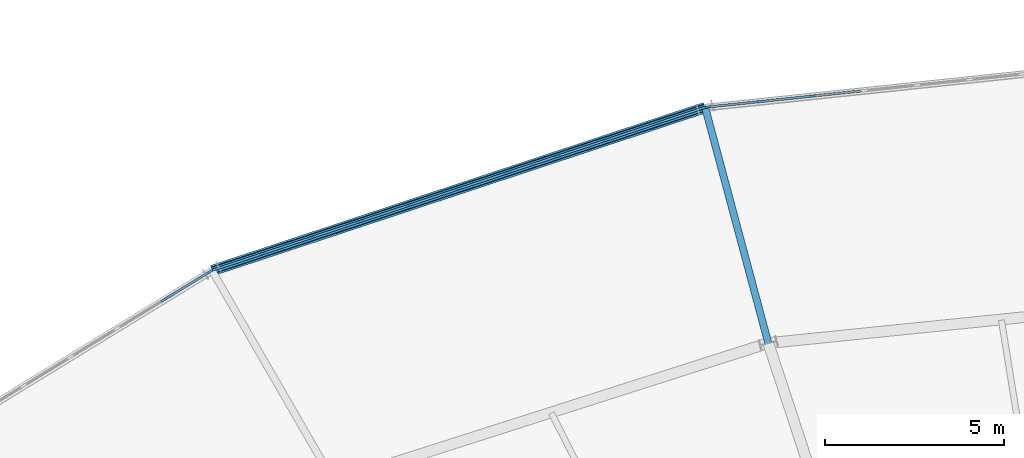
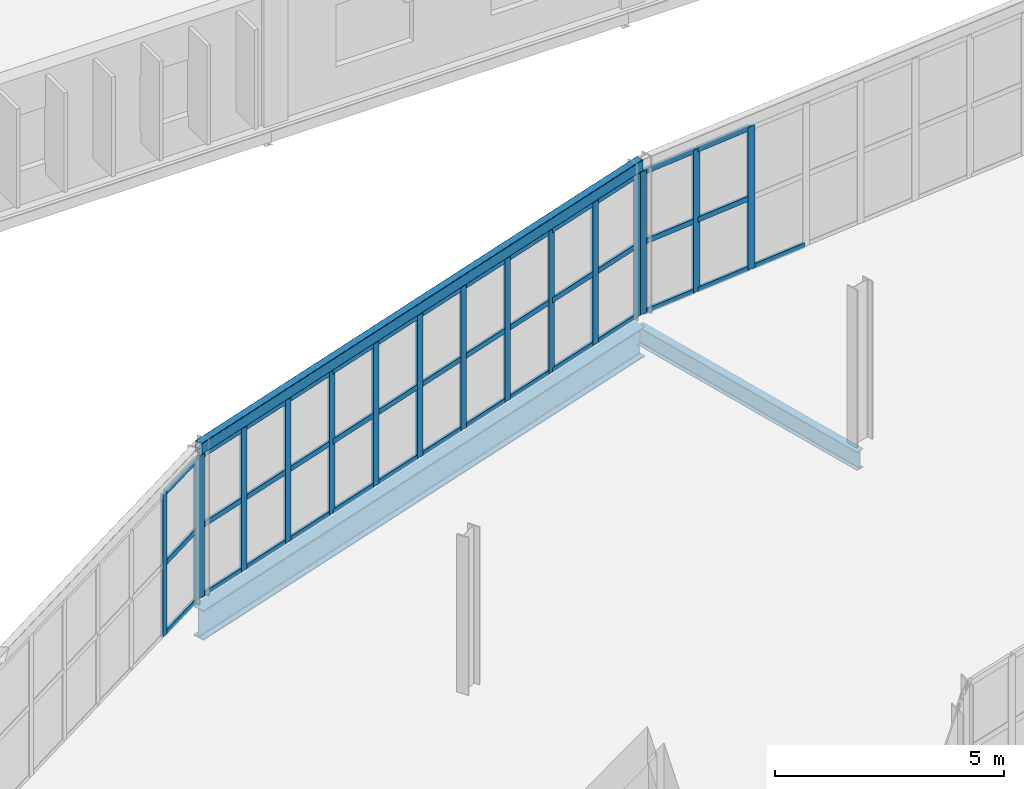
# One storey, part 95 of 161: 56 members, 3 beams, 3 elements without a shape of their own.
"""IFC4 building model written with IfcOpenShell, lengths in metres."""

from ifc_helpers import new_model, si_unit, direction, frame, origin, origin_2d, place, context, subcontext, project, spatial, rectangle, hollow_rectangle, i_section, extrude, material, material_profile, profile_set, type_object, element, aggregate, save


model = new_model("IFC4")

# Units and contexts
model_context = context("Model", 3, precision=1e-05, world=origin(), true_north=direction((0.0, 1.0)))
body_context = subcontext(model_context, "Body", "Model", "MODEL_VIEW")
ifc_project = project(units=[si_unit("LENGTHUNIT", "METRE"), si_unit("AREAUNIT", "SQUARE_METRE"), si_unit("VOLUMEUNIT", "CUBIC_METRE"), si_unit("PLANEANGLEUNIT", "RADIAN"), si_unit("MASSUNIT", "GRAM", prefix="KILO")], contexts=[model_context])

# Site, building, storey
site_placement = place(None, origin())
site = spatial("IfcSite", under=ifc_project, at=site_placement, CompositionType="ELEMENT")
building_placement = place(site_placement, origin())
building = spatial("IfcBuilding", under=site, at=building_placement, Name="Kildeholm Park Wholesale Market", CompositionType="ELEMENT")
storey_placement = place(building_placement, frame((0.0, 0.0, 5.39990234375)))
storey = spatial("IfcBuildingStorey", under=building, at=storey_placement, Name="L01", CompositionType="ELEMENT", Elevation=5.39990234375)

# Beams
ifc_material_1 = material(Name="Steel S355", Category="steel")
ifc_material_profile_1 = material_profile(ifc_material_1, i_section(OverallWidth=0.300048828125, OverallDepth=0.800048828125, WebThickness=0.017578125, FlangeThickness=0.032958984375, FilletRadius=0.030029296875, at=origin_2d()), Name="HEB 800")
ifc_profile_set_1 = profile_set([ifc_material_profile_1], Name="Steel S355")
beam_type_1 = type_object("IfcBeamType", Name="Beam B-G02 HEB 800", PredefinedType="BEAM", material=ifc_profile_set_1)
beam_1_placement = place(storey_placement, frame((84.2470703125, 133.449951171875, -0.64990234375), z_axis=(-0.949435985478, -0.313960681424, 0.0), x_axis=(0.313960681424, -0.949435985478, 0.0)))
element("IfcBeam", 1, at=beam_1_placement, inside=storey, type_object=beam_type_1, Name="Beam BM-V1-L01-CO-07 BM-0071", PredefinedType="BEAM", context=body_context, shape_type="SweptSolid", body=[
    extrude(i_section(OverallWidth=0.300048828125, OverallDepth=0.800048828125, WebThickness=0.017578125, FlangeThickness=0.032958984375, FilletRadius=0.030029296875, at=origin_2d()), origin(), (0.0, 0.0, 1.0), 14.479248046875),
])
ifc_material_profile_2 = material_profile(ifc_material_1, i_section(OverallWidth=0.199951171875, OverallDepth=0.5, WebThickness=0.01025390625, FlangeThickness=0.01611328125, FilletRadius=0.02099609375, at=origin_2d()), Name="IPE 500")
ifc_profile_set_2 = profile_set([ifc_material_profile_2], Name="Steel S355")
beam_type_2 = type_object("IfcBeamType", Name="Beam B-P03 IPE 500", PredefinedType="BEAM", material=ifc_profile_set_2)
beam_2_placement = place(storey_placement, frame((86.007080078125, 126.881103515625, -0.5), z_axis=(-0.258804274594, 0.965929783914, 0.0), x_axis=(-0.965929783914, -0.258804274594, 0.0)))
element("IfcBeam", 2, at=beam_2_placement, inside=storey, type_object=beam_type_2, Name="Beam BM-V1-L01-R2-07 BM-0068", PredefinedType="BEAM", context=body_context, shape_type="SweptSolid", body=[
    extrude(i_section(OverallWidth=0.199951171875, OverallDepth=0.5, WebThickness=0.01025390625, FlangeThickness=0.01611328125, FilletRadius=0.02099609375, at=origin_2d()), origin(), (0.0, 0.0, 1.0), 6.800537109375),
])
ifc_material_profile_3 = material_profile(ifc_material_1, hollow_rectangle(XDim=0.199951171875, YDim=0.300048828125, WallThickness=0.012451171875, InnerFilletRadius=0.012451171875, OuterFilletRadius=0.02490234375, at=origin_2d()), Name="RHS 300x200x12.5")
ifc_profile_set_3 = profile_set([ifc_material_profile_3], Name="Steel S355")
beam_type_3 = type_object("IfcBeamType", Name="Beam SP-01 RHS 300x200x12.5", PredefinedType="SPANDREL", material=ifc_profile_set_3)
beam_3_placement = place(storey_placement, frame((84.2470703125, 133.449951171875, 4.022705078125), z_axis=(-0.949435985478, -0.313960681424, 0.0), x_axis=(0.313960681424, -0.949435985478, 0.0)))
element("IfcBeam", 3, at=beam_3_placement, inside=storey, type_object=beam_type_3, Name="Beam SP-V1-EAV-07 BM-0262", PredefinedType="SPANDREL", context=body_context, shape_type="SweptSolid", body=[
    extrude(hollow_rectangle(XDim=0.199951171875, YDim=0.300048828125, WallThickness=0.012451171875, InnerFilletRadius=0.012451171875, OuterFilletRadius=0.02490234375, at=origin_2d()), origin(), (0.0, 0.0, 1.0), 14.479248046875),
])

# Curtain wall, members
ifc_material_2 = material(Name="Anodised aluminium and low-E double-glazed glass", Category="aluminium")
curtain_wall_type = type_object("IfcCurtainWallType", Name="Market hall glazed arcade stick curtain wall CW-01", PredefinedType="NOTDEFINED", material=ifc_material_2)
curtain_wall_1_placement = place(storey_placement, origin())
curtain_wall_1 = element("IfcCurtainWall", 4, at=curtain_wall_1_placement, inside=storey, type_object=curtain_wall_type, Name="Curtain wall CW-V1-OT-06-1 CW-0030", PredefinedType="NOTDEFINED")
ifc_material_3 = material(Name="Anodised aluminium", Category="aluminium")
ifc_material_profile_4 = material_profile(ifc_material_3, rectangle(XDim=0.06494140625, YDim=0.179931640625, at=origin_2d()), Name="CWM 65x180")
ifc_profile_set_4 = profile_set([ifc_material_profile_4], Name="Anodised aluminium")
member_type_1 = type_object("IfcMemberType", Name="Curtain-wall mullion CWM-1 CWM 65x180", PredefinedType="MULLION", material=ifc_profile_set_4)
member_1_placement = place(storey_placement, frame((87.220703125, 133.766357421875, 0.0), z_axis=(0.0, 0.0, 1.0), x_axis=(0.104508383308, -0.994524005652, 0.0)))
member_1 = element("IfcMember", 5, at=member_1_placement, type_object=member_type_1, Name="CW-01 mullion 9 MEM-1203", PredefinedType="MULLION", context=body_context, shape_type="SweptSolid", body=[
    extrude(rectangle(XDim=0.06494140625, YDim=0.179931640625, at=origin_2d()), origin(), (0.0, 0.0, 1.0), 3.800048828125),
])
member_2_placement = place(storey_placement, frame((85.75341796875, 133.6123046875, 0.0), z_axis=(0.0, 0.0, 1.0), x_axis=(0.104508383308, -0.994524005652, 0.0)))
member_2 = element("IfcMember", 6, at=member_2_placement, type_object=member_type_1, Name="CW-01 mullion 10 MEM-1204", PredefinedType="MULLION", context=body_context, shape_type="SweptSolid", body=[
    extrude(rectangle(XDim=0.06494140625, YDim=0.179931640625, at=origin_2d()), origin(), (0.0, 0.0, 1.0), 3.800048828125),
])
member_3_placement = place(storey_placement, frame((84.318359375, 133.46142578125, 0.0), z_axis=(0.0, 0.0, 1.0), x_axis=(0.104508383308, -0.994524005652, 0.0)))
member_3 = element("IfcMember", 7, at=member_3_placement, type_object=member_type_1, Name="CW-01 mullion 11 MEM-1205", PredefinedType="MULLION", context=body_context, shape_type="SweptSolid", body=[
    extrude(rectangle(XDim=0.06494140625, YDim=0.179931640625, at=origin_2d()), origin(), (0.0, 0.0, 1.0), 3.800048828125),
])

curtain_wall_2_placement = place(storey_placement, origin())
curtain_wall_2 = element("IfcCurtainWall", 8, at=curtain_wall_2_placement, inside=storey, type_object=curtain_wall_type, Name="Curtain wall CW-V1-OT-07-1 CW-0035", PredefinedType="NOTDEFINED")
member_4_placement = place(storey_placement, frame((84.176025390625, 133.430908203125, 0.0), z_axis=(0.0, 0.0, 1.0), x_axis=(0.313914140335, -0.949451374478, 0.0)))
member_4 = element("IfcMember", 9, at=member_4_placement, type_object=member_type_1, Name="CW-01 mullion 1 MEM-1348", PredefinedType="MULLION", context=body_context, shape_type="SweptSolid", body=[
    extrude(rectangle(XDim=0.06494140625, YDim=0.179931640625, at=origin_2d()), origin(), (0.0, 0.0, 1.0), 3.800048828125),
])
member_5_placement = place(storey_placement, frame((82.83984375, 132.989013671875, 0.0), z_axis=(0.0, 0.0, 1.0), x_axis=(0.313914140335, -0.949451374478, 0.0)))
member_5 = element("IfcMember", 10, at=member_5_placement, type_object=member_type_1, Name="CW-01 mullion 2 MEM-1349", PredefinedType="MULLION", context=body_context, shape_type="SweptSolid", body=[
    extrude(rectangle(XDim=0.06494140625, YDim=0.179931640625, at=origin_2d()), origin(), (0.0, 0.0, 1.0), 3.800048828125),
])
member_6_placement = place(storey_placement, frame((81.472900390625, 132.537109375, 0.0), z_axis=(0.0, 0.0, 1.0), x_axis=(0.313914140335, -0.949451374478, 0.0)))
member_6 = element("IfcMember", 11, at=member_6_placement, type_object=member_type_1, Name="CW-01 mullion 3 MEM-1350", PredefinedType="MULLION", context=body_context, shape_type="SweptSolid", body=[
    extrude(rectangle(XDim=0.06494140625, YDim=0.179931640625, at=origin_2d()), origin(), (0.0, 0.0, 1.0), 3.800048828125),
])
member_7_placement = place(storey_placement, frame((80.105712890625, 132.0849609375, 0.0), z_axis=(0.0, 0.0, 1.0), x_axis=(0.313914140335, -0.949451374478, 0.0)))
member_7 = element("IfcMember", 12, at=member_7_placement, type_object=member_type_1, Name="CW-01 mullion 4 MEM-1351", PredefinedType="MULLION", context=body_context, shape_type="SweptSolid", body=[
    extrude(rectangle(XDim=0.06494140625, YDim=0.179931640625, at=origin_2d()), origin(), (0.0, 0.0, 1.0), 3.800048828125),
])
member_8_placement = place(storey_placement, frame((78.738525390625, 131.633056640625, 0.0), z_axis=(0.0, 0.0, 1.0), x_axis=(0.313914140335, -0.949451374478, 0.0)))
member_8 = element("IfcMember", 13, at=member_8_placement, type_object=member_type_1, Name="CW-01 mullion 5 MEM-1352", PredefinedType="MULLION", context=body_context, shape_type="SweptSolid", body=[
    extrude(rectangle(XDim=0.06494140625, YDim=0.179931640625, at=origin_2d()), origin(), (0.0, 0.0, 1.0), 3.800048828125),
])
member_9_placement = place(storey_placement, frame((77.37158203125, 131.180908203125, 0.0), z_axis=(0.0, 0.0, 1.0), x_axis=(0.313914140335, -0.949451374478, 0.0)))
member_9 = element("IfcMember", 14, at=member_9_placement, type_object=member_type_1, Name="CW-01 mullion 6 MEM-1353", PredefinedType="MULLION", context=body_context, shape_type="SweptSolid", body=[
    extrude(rectangle(XDim=0.06494140625, YDim=0.179931640625, at=origin_2d()), origin(), (0.0, 0.0, 1.0), 3.800048828125),
])
member_10_placement = place(storey_placement, frame((76.00439453125, 130.72900390625, 0.0), z_axis=(0.0, 0.0, 1.0), x_axis=(0.313914140335, -0.949451374478, 0.0)))
member_10 = element("IfcMember", 15, at=member_10_placement, type_object=member_type_1, Name="CW-01 mullion 7 MEM-1354", PredefinedType="MULLION", context=body_context, shape_type="SweptSolid", body=[
    extrude(rectangle(XDim=0.06494140625, YDim=0.179931640625, at=origin_2d()), origin(), (0.0, 0.0, 1.0), 3.800048828125),
])
member_11_placement = place(storey_placement, frame((74.63720703125, 130.277099609375, 0.0), z_axis=(0.0, 0.0, 1.0), x_axis=(0.313914140335, -0.949451374478, 0.0)))
member_11 = element("IfcMember", 16, at=member_11_placement, type_object=member_type_1, Name="CW-01 mullion 8 MEM-1355", PredefinedType="MULLION", context=body_context, shape_type="SweptSolid", body=[
    extrude(rectangle(XDim=0.06494140625, YDim=0.179931640625, at=origin_2d()), origin(), (0.0, 0.0, 1.0), 3.800048828125),
])
member_12_placement = place(storey_placement, frame((73.270263671875, 129.824951171875, 0.0), z_axis=(0.0, 0.0, 1.0), x_axis=(0.313914140335, -0.949451374478, 0.0)))
member_12 = element("IfcMember", 17, at=member_12_placement, type_object=member_type_1, Name="CW-01 mullion 9 MEM-1356", PredefinedType="MULLION", context=body_context, shape_type="SweptSolid", body=[
    extrude(rectangle(XDim=0.06494140625, YDim=0.179931640625, at=origin_2d()), origin(), (0.0, 0.0, 1.0), 3.800048828125),
])
member_13_placement = place(storey_placement, frame((71.903076171875, 129.373046875, 0.0), z_axis=(0.0, 0.0, 1.0), x_axis=(0.313914140335, -0.949451374478, 0.0)))
member_13 = element("IfcMember", 18, at=member_13_placement, type_object=member_type_1, Name="CW-01 mullion 10 MEM-1357", PredefinedType="MULLION", context=body_context, shape_type="SweptSolid", body=[
    extrude(rectangle(XDim=0.06494140625, YDim=0.179931640625, at=origin_2d()), origin(), (0.0, 0.0, 1.0), 3.800048828125),
])
member_14_placement = place(storey_placement, frame((70.56689453125, 128.93115234375, 0.0), z_axis=(0.0, 0.0, 1.0), x_axis=(0.313914140335, -0.949451374478, 0.0)))
member_14 = element("IfcMember", 19, at=member_14_placement, type_object=member_type_1, Name="CW-01 mullion 11 MEM-1358", PredefinedType="MULLION", context=body_context, shape_type="SweptSolid", body=[
    extrude(rectangle(XDim=0.06494140625, YDim=0.179931640625, at=origin_2d()), origin(), (0.0, 0.0, 1.0), 3.800048828125),
])

curtain_wall_3_placement = place(storey_placement, origin())
curtain_wall_3 = element("IfcCurtainWall", 20, at=curtain_wall_3_placement, inside=storey, type_object=curtain_wall_type, Name="Curtain wall CW-V1-OT-08-1 CW-0039", PredefinedType="NOTDEFINED")
member_15_placement = place(storey_placement, frame((70.435302734375, 128.8701171875, 0.0), z_axis=(0.0, 0.0, 1.0), x_axis=(0.522284342695, -0.852771402766, 0.0)))
member_15 = element("IfcMember", 21, at=member_15_placement, type_object=member_type_1, Name="CW-01 mullion 1 MEM-1472", PredefinedType="MULLION", context=body_context, shape_type="SweptSolid", body=[
    extrude(rectangle(XDim=0.06494140625, YDim=0.179931640625, at=origin_2d()), origin(), (0.0, 0.0, 1.0), 3.800048828125),
])
member_16_placement = place(storey_placement, frame((69.15869140625, 128.088134765625, 0.0), z_axis=(0.0, 0.0, 1.0), x_axis=(0.522284342695, -0.852771402766, 0.0)))
member_16 = element("IfcMember", 22, at=member_16_placement, type_object=member_type_1, Name="CW-01 mullion 2 MEM-1473", PredefinedType="MULLION", context=body_context, shape_type="SweptSolid", body=[
    extrude(rectangle(XDim=0.06494140625, YDim=0.179931640625, at=origin_2d()), origin(), (0.0, 0.0, 1.0), 3.800048828125),
])

# Member
ifc_material_profile_5 = material_profile(ifc_material_3, rectangle(XDim=0.06494140625, YDim=0.139892578125, at=origin_2d()), Name="CWT 65x140")
ifc_profile_set_5 = profile_set([ifc_material_profile_5], Name="Anodised aluminium")
member_type_2 = type_object("IfcMemberType", Name="Curtain-wall transom CWT-1 CWT 65x140", PredefinedType="USERDEFINED", material=ifc_profile_set_5)
member_17_placement = place(storey_placement, frame((88.65576171875, 133.917236328125, 0.03271484375), z_axis=(-0.994518724615, -0.104558626574, 0.0), x_axis=(0.104558626574, -0.994518724615, 0.0)))
member_17 = element("IfcMember", 23, at=member_17_placement, type_object=member_type_2, Name="CW-01 transom 8.1 MEM-1227", ObjectType="TRANSOM", PredefinedType="USERDEFINED", context=body_context, shape_type="SweptSolid", body=[
    extrude(rectangle(XDim=0.06494140625, YDim=0.139892578125, at=origin_2d()), origin(), (0.0, 0.0, 1.0), 1.410400390625),
])

member_18_placement = place(storey_placement, frame((87.1884765625, 133.762939453125, 0.03271484375), z_axis=(-0.994520616656, -0.104540628691, 0.0), x_axis=(0.104540628691, -0.994520616656, 0.0)))
member_18 = element("IfcMember", 24, at=member_18_placement, type_object=member_type_2, Name="CW-01 transom 9.1 MEM-1230", ObjectType="TRANSOM", PredefinedType="USERDEFINED", context=body_context, shape_type="SweptSolid", body=[
    extrude(rectangle(XDim=0.06494140625, YDim=0.139892578125, at=origin_2d()), origin(), (0.0, 0.0, 1.0), 1.41064453125),
])

member_19_placement = place(storey_placement, frame((87.1884765625, 133.762939453125, 1.900146484375), z_axis=(-0.994520616656, -0.104540628691, 0.0), x_axis=(0.104540628691, -0.994520616656, 0.0)))
member_19 = element("IfcMember", 25, at=member_19_placement, type_object=member_type_2, Name="CW-01 transom 9.2 MEM-1231", ObjectType="TRANSOM", PredefinedType="USERDEFINED", context=body_context, shape_type="SweptSolid", body=[
    extrude(rectangle(XDim=0.06494140625, YDim=0.139892578125, at=origin_2d()), origin(), (0.0, 0.0, 1.0), 1.41064453125),
])

member_20_placement = place(storey_placement, frame((87.1884765625, 133.762939453125, 3.767578125), z_axis=(-0.994520616656, -0.104540628691, 0.0), x_axis=(0.104540628691, -0.994520616656, 0.0)))
member_20 = element("IfcMember", 26, at=member_20_placement, type_object=member_type_2, Name="CW-01 transom 9.3 MEM-1232", ObjectType="TRANSOM", PredefinedType="USERDEFINED", context=body_context, shape_type="SweptSolid", body=[
    extrude(rectangle(XDim=0.06494140625, YDim=0.139892578125, at=origin_2d()), origin(), (0.0, 0.0, 1.0), 1.41064453125),
])

member_21_placement = place(storey_placement, frame((85.72119140625, 133.60888671875, 0.03271484375), z_axis=(-0.994522911448, -0.104518795467, 0.0), x_axis=(0.104518795467, -0.994522911448, 0.0)))
member_21 = element("IfcMember", 27, at=member_21_placement, type_object=member_type_2, Name="CW-01 transom 10.1 MEM-1233", ObjectType="TRANSOM", PredefinedType="USERDEFINED", context=body_context, shape_type="SweptSolid", body=[
    extrude(rectangle(XDim=0.06494140625, YDim=0.139892578125, at=origin_2d()), origin(), (0.0, 0.0, 1.0), 1.378173828125),
])

member_22_placement = place(storey_placement, frame((85.72119140625, 133.60888671875, 1.900146484375), z_axis=(-0.994522911448, -0.104518795467, 0.0), x_axis=(0.104518795467, -0.994522911448, 0.0)))
member_22 = element("IfcMember", 28, at=member_22_placement, type_object=member_type_2, Name="CW-01 transom 10.2 MEM-1234", ObjectType="TRANSOM", PredefinedType="USERDEFINED", context=body_context, shape_type="SweptSolid", body=[
    extrude(rectangle(XDim=0.06494140625, YDim=0.139892578125, at=origin_2d()), origin(), (0.0, 0.0, 1.0), 1.378173828125),
])

member_23_placement = place(storey_placement, frame((85.72119140625, 133.60888671875, 3.767578125), z_axis=(-0.994522911448, -0.104518795467, 0.0), x_axis=(0.104518795467, -0.994522911448, 0.0)))
member_23 = element("IfcMember", 29, at=member_23_placement, type_object=member_type_2, Name="CW-01 transom 10.3 MEM-1235", ObjectType="TRANSOM", PredefinedType="USERDEFINED", context=body_context, shape_type="SweptSolid", body=[
    extrude(rectangle(XDim=0.06494140625, YDim=0.139892578125, at=origin_2d()), origin(), (0.0, 0.0, 1.0), 1.378173828125),
])

aggregate(curtain_wall_1, [member_1, member_2, member_3, member_17, member_18, member_19, member_20, member_21, member_22, member_23])

member_24_placement = place(storey_placement, frame((84.145263671875, 133.420654296875, 0.03271484375), z_axis=(-0.94944445073, -0.313935080835, 0.0), x_axis=(0.313935080835, -0.94944445073, 0.0)))
member_24 = element("IfcMember", 30, at=member_24_placement, type_object=member_type_2, Name="CW-01 transom 1.1 MEM-1359", ObjectType="TRANSOM", PredefinedType="USERDEFINED", context=body_context, shape_type="SweptSolid", body=[
    extrude(rectangle(XDim=0.06494140625, YDim=0.139892578125, at=origin_2d()), origin(), (0.0, 0.0, 1.0), 1.34228515625),
])

member_25_placement = place(storey_placement, frame((84.145263671875, 133.420654296875, 1.900146484375), z_axis=(-0.94944445073, -0.313935080835, 0.0), x_axis=(0.313935080835, -0.94944445073, 0.0)))
member_25 = element("IfcMember", 31, at=member_25_placement, type_object=member_type_2, Name="CW-01 transom 1.2 MEM-1360", ObjectType="TRANSOM", PredefinedType="USERDEFINED", context=body_context, shape_type="SweptSolid", body=[
    extrude(rectangle(XDim=0.06494140625, YDim=0.139892578125, at=origin_2d()), origin(), (0.0, 0.0, 1.0), 1.34228515625),
])

member_26_placement = place(storey_placement, frame((84.145263671875, 133.420654296875, 3.767578125), z_axis=(-0.94944445073, -0.313935080835, 0.0), x_axis=(0.313935080835, -0.94944445073, 0.0)))
member_26 = element("IfcMember", 32, at=member_26_placement, type_object=member_type_2, Name="CW-01 transom 1.3 MEM-1361", ObjectType="TRANSOM", PredefinedType="USERDEFINED", context=body_context, shape_type="SweptSolid", body=[
    extrude(rectangle(XDim=0.06494140625, YDim=0.139892578125, at=origin_2d()), origin(), (0.0, 0.0, 1.0), 1.34228515625),
])

member_27_placement = place(storey_placement, frame((82.80908203125, 132.978759765625, 0.03271484375), z_axis=(-0.949444065444, -0.313936246064, 0.0), x_axis=(0.313936246064, -0.949444065444, 0.0)))
member_27 = element("IfcMember", 33, at=member_27_placement, type_object=member_type_2, Name="CW-01 transom 2.1 MEM-1362", ObjectType="TRANSOM", PredefinedType="USERDEFINED", context=body_context, shape_type="SweptSolid", body=[
    extrude(rectangle(XDim=0.06494140625, YDim=0.139892578125, at=origin_2d()), origin(), (0.0, 0.0, 1.0), 1.375),
])

member_28_placement = place(storey_placement, frame((82.80908203125, 132.978759765625, 1.900146484375), z_axis=(-0.949444065444, -0.313936246064, 0.0), x_axis=(0.313936246064, -0.949444065444, 0.0)))
member_28 = element("IfcMember", 34, at=member_28_placement, type_object=member_type_2, Name="CW-01 transom 2.2 MEM-1363", ObjectType="TRANSOM", PredefinedType="USERDEFINED", context=body_context, shape_type="SweptSolid", body=[
    extrude(rectangle(XDim=0.06494140625, YDim=0.139892578125, at=origin_2d()), origin(), (0.0, 0.0, 1.0), 1.375),
])

member_29_placement = place(storey_placement, frame((82.80908203125, 132.978759765625, 3.767578125), z_axis=(-0.949444065444, -0.313936246064, 0.0), x_axis=(0.313936246064, -0.949444065444, 0.0)))
member_29 = element("IfcMember", 35, at=member_29_placement, type_object=member_type_2, Name="CW-01 transom 2.3 MEM-1364", ObjectType="TRANSOM", PredefinedType="USERDEFINED", context=body_context, shape_type="SweptSolid", body=[
    extrude(rectangle(XDim=0.06494140625, YDim=0.139892578125, at=origin_2d()), origin(), (0.0, 0.0, 1.0), 1.375),
])

member_30_placement = place(storey_placement, frame((81.44189453125, 132.52685546875, 0.03271484375), z_axis=(-0.949444065444, -0.313936246064, 0.0), x_axis=(0.313936246064, -0.949444065444, 0.0)))
member_30 = element("IfcMember", 36, at=member_30_placement, type_object=member_type_2, Name="CW-01 transom 3.1 MEM-1365", ObjectType="TRANSOM", PredefinedType="USERDEFINED", context=body_context, shape_type="SweptSolid", body=[
    extrude(rectangle(XDim=0.06494140625, YDim=0.139892578125, at=origin_2d()), origin(), (0.0, 0.0, 1.0), 1.375),
])

member_31_placement = place(storey_placement, frame((81.44189453125, 132.52685546875, 1.900146484375), z_axis=(-0.949444065444, -0.313936246064, 0.0), x_axis=(0.313936246064, -0.949444065444, 0.0)))
member_31 = element("IfcMember", 37, at=member_31_placement, type_object=member_type_2, Name="CW-01 transom 3.2 MEM-1366", ObjectType="TRANSOM", PredefinedType="USERDEFINED", context=body_context, shape_type="SweptSolid", body=[
    extrude(rectangle(XDim=0.06494140625, YDim=0.139892578125, at=origin_2d()), origin(), (0.0, 0.0, 1.0), 1.375),
])

member_32_placement = place(storey_placement, frame((81.44189453125, 132.52685546875, 3.767578125), z_axis=(-0.949444065444, -0.313936246064, 0.0), x_axis=(0.313936246064, -0.949444065444, 0.0)))
member_32 = element("IfcMember", 38, at=member_32_placement, type_object=member_type_2, Name="CW-01 transom 3.3 MEM-1367", ObjectType="TRANSOM", PredefinedType="USERDEFINED", context=body_context, shape_type="SweptSolid", body=[
    extrude(rectangle(XDim=0.06494140625, YDim=0.139892578125, at=origin_2d()), origin(), (0.0, 0.0, 1.0), 1.375),
])

member_33_placement = place(storey_placement, frame((80.074951171875, 132.07470703125, 0.03271484375), z_axis=(-0.949496981018, -0.313776167095, 0.0), x_axis=(0.313776167095, -0.949496981018, 0.0)))
member_33 = element("IfcMember", 39, at=member_33_placement, type_object=member_type_2, Name="CW-01 transom 4.1 MEM-1368", ObjectType="TRANSOM", PredefinedType="USERDEFINED", context=body_context, shape_type="SweptSolid", body=[
    extrude(rectangle(XDim=0.06494140625, YDim=0.139892578125, at=origin_2d()), origin(), (0.0, 0.0, 1.0), 1.374755859375),
])

member_34_placement = place(storey_placement, frame((80.074951171875, 132.07470703125, 1.900146484375), z_axis=(-0.949496981018, -0.313776167095, 0.0), x_axis=(0.313776167095, -0.949496981018, 0.0)))
member_34 = element("IfcMember", 40, at=member_34_placement, type_object=member_type_2, Name="CW-01 transom 4.2 MEM-1369", ObjectType="TRANSOM", PredefinedType="USERDEFINED", context=body_context, shape_type="SweptSolid", body=[
    extrude(rectangle(XDim=0.06494140625, YDim=0.139892578125, at=origin_2d()), origin(), (0.0, 0.0, 1.0), 1.374755859375),
])

member_35_placement = place(storey_placement, frame((80.074951171875, 132.07470703125, 3.767578125), z_axis=(-0.949496981018, -0.313776167095, 0.0), x_axis=(0.313776167095, -0.949496981018, 0.0)))
member_35 = element("IfcMember", 41, at=member_35_placement, type_object=member_type_2, Name="CW-01 transom 4.3 MEM-1370", ObjectType="TRANSOM", PredefinedType="USERDEFINED", context=body_context, shape_type="SweptSolid", body=[
    extrude(rectangle(XDim=0.06494140625, YDim=0.139892578125, at=origin_2d()), origin(), (0.0, 0.0, 1.0), 1.374755859375),
])

member_36_placement = place(storey_placement, frame((78.707763671875, 131.622802734375, 0.03271484375), z_axis=(-0.949444065444, -0.313936246064, 0.0), x_axis=(0.313936246064, -0.949444065444, 0.0)))
member_36 = element("IfcMember", 42, at=member_36_placement, type_object=member_type_2, Name="CW-01 transom 5.1 MEM-1371", ObjectType="TRANSOM", PredefinedType="USERDEFINED", context=body_context, shape_type="SweptSolid", body=[
    extrude(rectangle(XDim=0.06494140625, YDim=0.139892578125, at=origin_2d()), origin(), (0.0, 0.0, 1.0), 1.375),
])

member_37_placement = place(storey_placement, frame((78.707763671875, 131.622802734375, 1.900146484375), z_axis=(-0.949444065444, -0.313936246064, 0.0), x_axis=(0.313936246064, -0.949444065444, 0.0)))
member_37 = element("IfcMember", 43, at=member_37_placement, type_object=member_type_2, Name="CW-01 transom 5.2 MEM-1372", ObjectType="TRANSOM", PredefinedType="USERDEFINED", context=body_context, shape_type="SweptSolid", body=[
    extrude(rectangle(XDim=0.06494140625, YDim=0.139892578125, at=origin_2d()), origin(), (0.0, 0.0, 1.0), 1.375),
])

member_38_placement = place(storey_placement, frame((78.707763671875, 131.622802734375, 3.767578125), z_axis=(-0.949444065444, -0.313936246064, 0.0), x_axis=(0.313936246064, -0.949444065444, 0.0)))
member_38 = element("IfcMember", 44, at=member_38_placement, type_object=member_type_2, Name="CW-01 transom 5.3 MEM-1373", ObjectType="TRANSOM", PredefinedType="USERDEFINED", context=body_context, shape_type="SweptSolid", body=[
    extrude(rectangle(XDim=0.06494140625, YDim=0.139892578125, at=origin_2d()), origin(), (0.0, 0.0, 1.0), 1.375),
])

member_39_placement = place(storey_placement, frame((77.340576171875, 131.1708984375, 0.03271484375), z_axis=(-0.949444065444, -0.313936246064, 0.0), x_axis=(0.313936246064, -0.949444065444, 0.0)))
member_39 = element("IfcMember", 45, at=member_39_placement, type_object=member_type_2, Name="CW-01 transom 6.1 MEM-1374", ObjectType="TRANSOM", PredefinedType="USERDEFINED", context=body_context, shape_type="SweptSolid", body=[
    extrude(rectangle(XDim=0.06494140625, YDim=0.139892578125, at=origin_2d()), origin(), (0.0, 0.0, 1.0), 1.375),
])

member_40_placement = place(storey_placement, frame((77.340576171875, 131.1708984375, 1.900146484375), z_axis=(-0.949444065444, -0.313936246064, 0.0), x_axis=(0.313936246064, -0.949444065444, 0.0)))
member_40 = element("IfcMember", 46, at=member_40_placement, type_object=member_type_2, Name="CW-01 transom 6.2 MEM-1375", ObjectType="TRANSOM", PredefinedType="USERDEFINED", context=body_context, shape_type="SweptSolid", body=[
    extrude(rectangle(XDim=0.06494140625, YDim=0.139892578125, at=origin_2d()), origin(), (0.0, 0.0, 1.0), 1.375),
])

member_41_placement = place(storey_placement, frame((77.340576171875, 131.1708984375, 3.767578125), z_axis=(-0.949444065444, -0.313936246064, 0.0), x_axis=(0.313936246064, -0.949444065444, 0.0)))
member_41 = element("IfcMember", 47, at=member_41_placement, type_object=member_type_2, Name="CW-01 transom 6.3 MEM-1376", ObjectType="TRANSOM", PredefinedType="USERDEFINED", context=body_context, shape_type="SweptSolid", body=[
    extrude(rectangle(XDim=0.06494140625, YDim=0.139892578125, at=origin_2d()), origin(), (0.0, 0.0, 1.0), 1.375),
])

member_42_placement = place(storey_placement, frame((75.9736328125, 130.71875, 0.03271484375), z_axis=(-0.949444065444, -0.313936246064, 0.0), x_axis=(0.313936246064, -0.949444065444, 0.0)))
member_42 = element("IfcMember", 48, at=member_42_placement, type_object=member_type_2, Name="CW-01 transom 7.1 MEM-1377", ObjectType="TRANSOM", PredefinedType="USERDEFINED", context=body_context, shape_type="SweptSolid", body=[
    extrude(rectangle(XDim=0.06494140625, YDim=0.139892578125, at=origin_2d()), origin(), (0.0, 0.0, 1.0), 1.375),
])

member_43_placement = place(storey_placement, frame((75.9736328125, 130.71875, 1.900146484375), z_axis=(-0.949444065444, -0.313936246064, 0.0), x_axis=(0.313936246064, -0.949444065444, 0.0)))
member_43 = element("IfcMember", 49, at=member_43_placement, type_object=member_type_2, Name="CW-01 transom 7.2 MEM-1378", ObjectType="TRANSOM", PredefinedType="USERDEFINED", context=body_context, shape_type="SweptSolid", body=[
    extrude(rectangle(XDim=0.06494140625, YDim=0.139892578125, at=origin_2d()), origin(), (0.0, 0.0, 1.0), 1.375),
])

member_44_placement = place(storey_placement, frame((75.9736328125, 130.71875, 3.767578125), z_axis=(-0.949444065444, -0.313936246064, 0.0), x_axis=(0.313936246064, -0.949444065444, 0.0)))
member_44 = element("IfcMember", 50, at=member_44_placement, type_object=member_type_2, Name="CW-01 transom 7.3 MEM-1379", ObjectType="TRANSOM", PredefinedType="USERDEFINED", context=body_context, shape_type="SweptSolid", body=[
    extrude(rectangle(XDim=0.06494140625, YDim=0.139892578125, at=origin_2d()), origin(), (0.0, 0.0, 1.0), 1.375),
])

member_45_placement = place(storey_placement, frame((74.6064453125, 130.266845703125, 0.03271484375), z_axis=(-0.949444065444, -0.313936246064, 0.0), x_axis=(0.313936246064, -0.949444065444, 0.0)))
member_45 = element("IfcMember", 51, at=member_45_placement, type_object=member_type_2, Name="CW-01 transom 8.1 MEM-1380", ObjectType="TRANSOM", PredefinedType="USERDEFINED", context=body_context, shape_type="SweptSolid", body=[
    extrude(rectangle(XDim=0.06494140625, YDim=0.139892578125, at=origin_2d()), origin(), (0.0, 0.0, 1.0), 1.375),
])

member_46_placement = place(storey_placement, frame((74.6064453125, 130.266845703125, 1.900146484375), z_axis=(-0.949444065444, -0.313936246064, 0.0), x_axis=(0.313936246064, -0.949444065444, 0.0)))
member_46 = element("IfcMember", 52, at=member_46_placement, type_object=member_type_2, Name="CW-01 transom 8.2 MEM-1381", ObjectType="TRANSOM", PredefinedType="USERDEFINED", context=body_context, shape_type="SweptSolid", body=[
    extrude(rectangle(XDim=0.06494140625, YDim=0.139892578125, at=origin_2d()), origin(), (0.0, 0.0, 1.0), 1.375),
])

member_47_placement = place(storey_placement, frame((74.6064453125, 130.266845703125, 3.767578125), z_axis=(-0.949444065444, -0.313936246064, 0.0), x_axis=(0.313936246064, -0.949444065444, 0.0)))
member_47 = element("IfcMember", 53, at=member_47_placement, type_object=member_type_2, Name="CW-01 transom 8.3 MEM-1382", ObjectType="TRANSOM", PredefinedType="USERDEFINED", context=body_context, shape_type="SweptSolid", body=[
    extrude(rectangle(XDim=0.06494140625, YDim=0.139892578125, at=origin_2d()), origin(), (0.0, 0.0, 1.0), 1.375),
])

member_48_placement = place(storey_placement, frame((73.2392578125, 129.814697265625, 0.03271484375), z_axis=(-0.949496981018, -0.313776167095, 0.0), x_axis=(0.313776167095, -0.949496981018, 0.0)))
member_48 = element("IfcMember", 54, at=member_48_placement, type_object=member_type_2, Name="CW-01 transom 9.1 MEM-1383", ObjectType="TRANSOM", PredefinedType="USERDEFINED", context=body_context, shape_type="SweptSolid", body=[
    extrude(rectangle(XDim=0.06494140625, YDim=0.139892578125, at=origin_2d()), origin(), (0.0, 0.0, 1.0), 1.374755859375),
])

member_49_placement = place(storey_placement, frame((73.2392578125, 129.814697265625, 1.900146484375), z_axis=(-0.949496981018, -0.313776167095, 0.0), x_axis=(0.313776167095, -0.949496981018, 0.0)))
member_49 = element("IfcMember", 55, at=member_49_placement, type_object=member_type_2, Name="CW-01 transom 9.2 MEM-1384", ObjectType="TRANSOM", PredefinedType="USERDEFINED", context=body_context, shape_type="SweptSolid", body=[
    extrude(rectangle(XDim=0.06494140625, YDim=0.139892578125, at=origin_2d()), origin(), (0.0, 0.0, 1.0), 1.374755859375),
])

member_50_placement = place(storey_placement, frame((73.2392578125, 129.814697265625, 3.767578125), z_axis=(-0.949496981018, -0.313776167095, 0.0), x_axis=(0.313776167095, -0.949496981018, 0.0)))
member_50 = element("IfcMember", 56, at=member_50_placement, type_object=member_type_2, Name="CW-01 transom 9.3 MEM-1385", ObjectType="TRANSOM", PredefinedType="USERDEFINED", context=body_context, shape_type="SweptSolid", body=[
    extrude(rectangle(XDim=0.06494140625, YDim=0.139892578125, at=origin_2d()), origin(), (0.0, 0.0, 1.0), 1.374755859375),
])

member_51_placement = place(storey_placement, frame((71.872314453125, 129.36279296875, 0.03271484375), z_axis=(-0.949462371896, -0.313880876057, 0.0), x_axis=(0.313880876057, -0.949462371896, 0.0)))
member_51 = element("IfcMember", 57, at=member_51_placement, type_object=member_type_2, Name="CW-01 transom 10.1 MEM-1386", ObjectType="TRANSOM", PredefinedType="USERDEFINED", context=body_context, shape_type="SweptSolid", body=[
    extrude(rectangle(XDim=0.06494140625, YDim=0.139892578125, at=origin_2d()), origin(), (0.0, 0.0, 1.0), 1.342529296875),
])

member_52_placement = place(storey_placement, frame((71.872314453125, 129.36279296875, 1.900146484375), z_axis=(-0.949462371896, -0.313880876057, 0.0), x_axis=(0.313880876057, -0.949462371896, 0.0)))
member_52 = element("IfcMember", 58, at=member_52_placement, type_object=member_type_2, Name="CW-01 transom 10.2 MEM-1387", ObjectType="TRANSOM", PredefinedType="USERDEFINED", context=body_context, shape_type="SweptSolid", body=[
    extrude(rectangle(XDim=0.06494140625, YDim=0.139892578125, at=origin_2d()), origin(), (0.0, 0.0, 1.0), 1.342529296875),
])

member_53_placement = place(storey_placement, frame((71.872314453125, 129.36279296875, 3.767578125), z_axis=(-0.949462371896, -0.313880876057, 0.0), x_axis=(0.313880876057, -0.949462371896, 0.0)))
member_53 = element("IfcMember", 59, at=member_53_placement, type_object=member_type_2, Name="CW-01 transom 10.3 MEM-1388", ObjectType="TRANSOM", PredefinedType="USERDEFINED", context=body_context, shape_type="SweptSolid", body=[
    extrude(rectangle(XDim=0.06494140625, YDim=0.139892578125, at=origin_2d()), origin(), (0.0, 0.0, 1.0), 1.342529296875),
])

aggregate(curtain_wall_2, [member_4, member_5, member_6, member_7, member_8, member_9, member_10, member_11, member_12, member_13, member_14, member_24, member_25, member_26, member_27, member_28, member_29, member_30, member_31, member_32, member_33, member_34, member_35, member_36, member_37, member_38, member_39, member_40, member_41, member_42, member_43, member_44, member_45, member_46, member_47, member_48, member_49, member_50, member_51, member_52, member_53])

member_54_placement = place(storey_placement, frame((70.407470703125, 128.85302734375, 0.03271484375), z_axis=(-0.85276295906, -0.522298129094, 0.0), x_axis=(0.522298129094, -0.85276295906, 0.0)))
member_54 = element("IfcMember", 60, at=member_54_placement, type_object=member_type_2, Name="CW-01 transom 1.1 MEM-1482", ObjectType="TRANSOM", PredefinedType="USERDEFINED", context=body_context, shape_type="SweptSolid", body=[
    extrude(rectangle(XDim=0.06494140625, YDim=0.139892578125, at=origin_2d()), origin(), (0.0, 0.0, 1.0), 1.431640625),
])

member_55_placement = place(storey_placement, frame((70.407470703125, 128.85302734375, 1.900146484375), z_axis=(-0.85276295906, -0.522298129094, 0.0), x_axis=(0.522298129094, -0.85276295906, 0.0)))
member_55 = element("IfcMember", 61, at=member_55_placement, type_object=member_type_2, Name="CW-01 transom 1.2 MEM-1483", ObjectType="TRANSOM", PredefinedType="USERDEFINED", context=body_context, shape_type="SweptSolid", body=[
    extrude(rectangle(XDim=0.06494140625, YDim=0.139892578125, at=origin_2d()), origin(), (0.0, 0.0, 1.0), 1.431640625),
])

member_56_placement = place(storey_placement, frame((70.407470703125, 128.85302734375, 3.767578125), z_axis=(-0.85276295906, -0.522298129094, 0.0), x_axis=(0.522298129094, -0.85276295906, 0.0)))
member_56 = element("IfcMember", 62, at=member_56_placement, type_object=member_type_2, Name="CW-01 transom 1.3 MEM-1484", ObjectType="TRANSOM", PredefinedType="USERDEFINED", context=body_context, shape_type="SweptSolid", body=[
    extrude(rectangle(XDim=0.06494140625, YDim=0.139892578125, at=origin_2d()), origin(), (0.0, 0.0, 1.0), 1.431640625),
])

aggregate(curtain_wall_3, [member_15, member_16, member_54, member_55, member_56])

save(model, "model.ifc")
